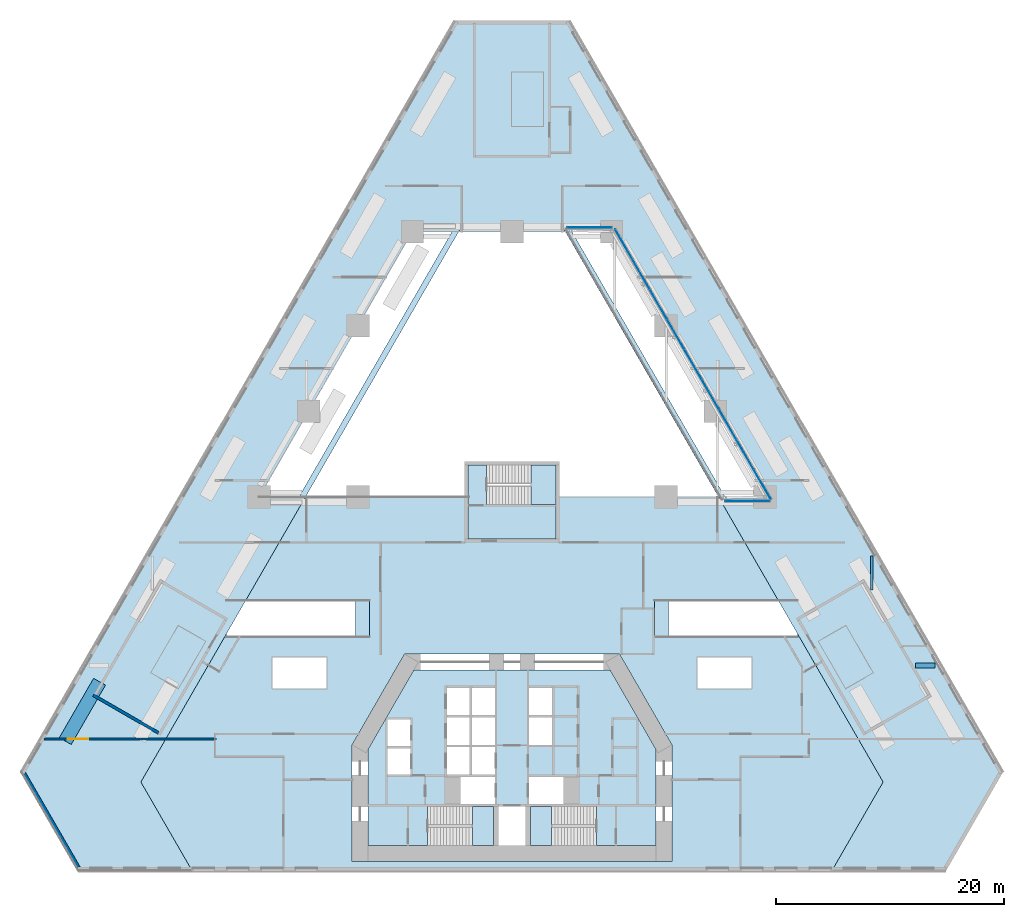
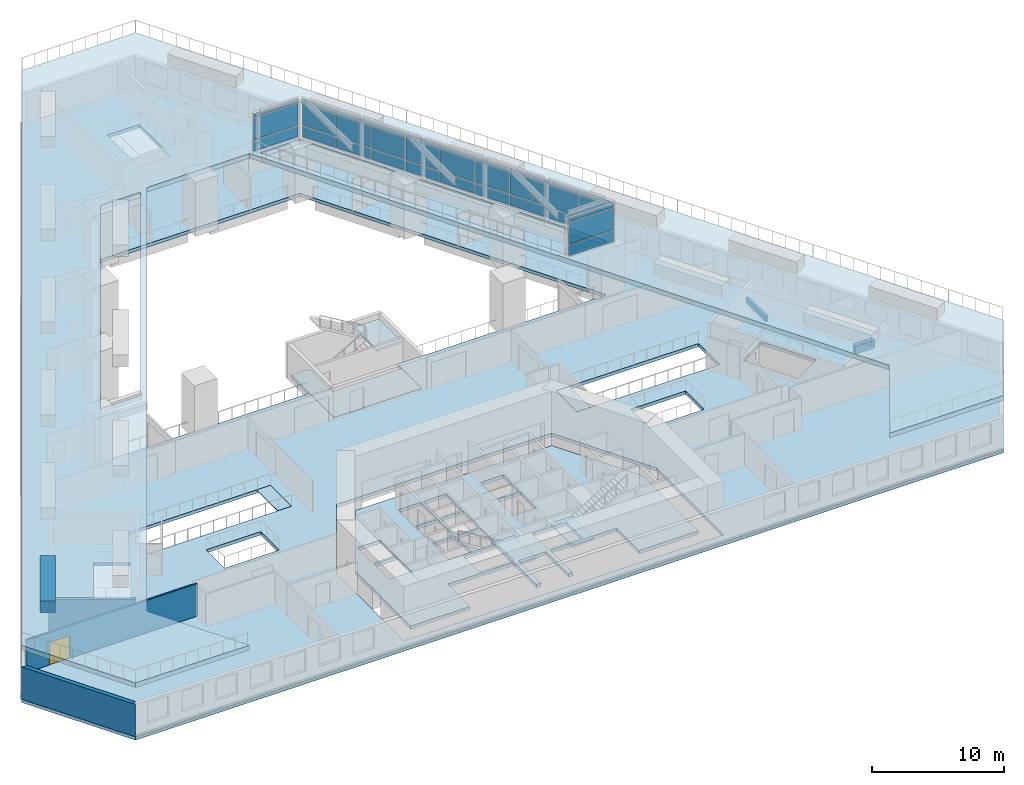
# One storey, part 6 of 19: 35 plates, 7 slabs, 4 walls, 2 beams, 1 door, 1 opening, 6 elements without a shape of their own.
"""IFC4 building model written with IfcOpenShell, lengths in metres."""

from ifc_helpers import new_model, si_unit, direction, frame, frame_2d, origin, origin_2d, place, context, subcontext, project, spatial, polyline, rectangle, outline, extrude, material, layer, layer_set, material_profile, profile_set, type_object, element, fill, aggregate, save


model = new_model("IFC4")

# Units and contexts
model_context = context("Model", 3, precision=1e-05, world=origin(), true_north=direction((0.0, 1.0)))
body_context = subcontext(model_context, "Body", "Model", "MODEL_VIEW")
ifc_project = project(units=[si_unit("LENGTHUNIT", "METRE"), si_unit("AREAUNIT", "SQUARE_METRE"), si_unit("VOLUMEUNIT", "CUBIC_METRE"), si_unit("PLANEANGLEUNIT", "RADIAN"), si_unit("MASSUNIT", "GRAM", prefix="KILO")], contexts=[model_context])

# Site, building, storey
site_placement = place(None, origin())
site = spatial("IfcSite", under=ifc_project, at=site_placement, CompositionType="ELEMENT")
building_placement = place(site_placement, origin())
building = spatial("IfcBuilding", under=site, at=building_placement, Name="Fogline Exchange Tower", CompositionType="ELEMENT")
storey_placement = place(building_placement, frame((0.0, 0.0, 20.0)))
storey = spatial("IfcBuildingStorey", under=building, at=storey_placement, Name="L03", CompositionType="ELEMENT", Elevation=20.0)

# Beams
ifc_material_1 = material(Name="Concrete C40", Category="concrete")
ifc_material_profile_1 = material_profile(ifc_material_1, rectangle(XDim=0.39990234375, YDim=0.75, at=origin_2d()), Name="RC 400x750")
ifc_profile_set_1 = profile_set([ifc_material_profile_1], Name="Concrete C40")
beam_type_1 = type_object("IfcBeamType", Name="B05", PredefinedType="BEAM", material=ifc_profile_set_1)
beam_1_placement = place(storey_placement, frame((35.327392578125, 18.0, -0.675048828125), z_axis=(1.0, 0.0, 0.0), x_axis=(0.0, 1.0, 0.0)))
element("IfcBeam", 1, at=beam_1_placement, inside=storey, type_object=beam_type_1, Name="GB004", PredefinedType="BEAM", context=body_context, shape_type="SweptSolid", body=[
    extrude(rectangle(XDim=0.39990234375, YDim=0.75, at=origin_2d()), origin(), (0.0, 0.0, 1.0), 1.702880859375),
])
ifc_material_profile_2 = material_profile(ifc_material_1, rectangle(XDim=0.25, YDim=0.5, at=origin_2d()), Name="RC 250x500")
ifc_profile_set_2 = profile_set([ifc_material_profile_2], Name="Concrete C40")
beam_type_2 = type_object("IfcBeamType", Name="B08", PredefinedType="BEAM", material=ifc_profile_set_2)
beam_2_placement = place(storey_placement, frame((31.5, 24.619384765625, -0.550048828125), z_axis=(0.0, 1.0, 0.0), x_axis=(-1.0, 0.0, 0.0)))
element("IfcBeam", 2, at=beam_2_placement, inside=storey, type_object=beam_type_2, Name="SB037", PredefinedType="BEAM", context=body_context, shape_type="SweptSolid", body=[
    extrude(rectangle(XDim=0.25, YDim=0.5, at=origin_2d()), origin(), (0.0, 0.0, 1.0), 2.95947265625),
])

# Curtain wall, plates
ifc_material_2 = material(Name="Aluminium and glass", Category="aluminium")
curtain_wall_type = type_object("IfcCurtainWallType", Name="CW2", PredefinedType="NOTDEFINED", material=ifc_material_2)
curtain_wall_1_placement = place(storey_placement, origin())
curtain_wall_1 = element("IfcCurtainWall", 3, at=curtain_wall_1_placement, inside=storey, type_object=curtain_wall_type, Name="CW2 lantern run 1", PredefinedType="NOTDEFINED")
ifc_material_3 = material(Name="Glass", Category="glass")
ifc_layer_1 = layer(ifc_material_3, 0.031982421875)
ifc_layer_set_1 = layer_set([ifc_layer_1], Name="CW2-P")
plate_type_1 = type_object("IfcPlateType", Name="CW2-P", PredefinedType="CURTAIN_PANEL", material=ifc_layer_set_1)
plate_1_placement = place(storey_placement, frame((6.790771484375, 56.35009765625, 5.06982421875), z_axis=(0.0, 0.0, 1.0), x_axis=(-1.0, 0.0, 0.0)))
plate_1 = element("IfcPlate", 4, at=plate_1_placement, type_object=plate_type_1, Name="CW2-P03-01 panel 1.1", PredefinedType="CURTAIN_PANEL", context=body_context, shape_type="SweptSolid", body=[
    extrude(rectangle(XDim=3.90283203125, YDim=0.031982421875, at=origin_2d()), origin(), (0.0, 0.0, 1.0), 0.9951171875),
])
plate_2_placement = place(storey_placement, frame((6.790771484375, 56.35009765625, 6.134765625), z_axis=(0.0, 0.0, 1.0), x_axis=(-1.0, 0.0, 0.0)))
plate_2 = element("IfcPlate", 5, at=plate_2_placement, type_object=plate_type_1, Name="CW2-P03-01 panel 1.2", PredefinedType="CURTAIN_PANEL", context=body_context, shape_type="SweptSolid", body=[
    extrude(rectangle(XDim=3.90283203125, YDim=0.031982421875, at=origin_2d()), origin(), (0.0, 0.0, 1.0), 2.030029296875),
])
plate_3_placement = place(storey_placement, frame((6.790771484375, 56.35009765625, 8.235107421875), z_axis=(0.0, 0.0, 1.0), x_axis=(-1.0, 0.0, 0.0)))
plate_3 = element("IfcPlate", 6, at=plate_3_placement, type_object=plate_type_1, Name="CW2-P03-01 panel 1.3", PredefinedType="CURTAIN_PANEL", context=body_context, shape_type="SweptSolid", body=[
    extrude(rectangle(XDim=3.90283203125, YDim=0.031982421875, at=origin_2d()), origin(), (0.0, 0.0, 1.0), 0.294921875),
])
aggregate(curtain_wall_1, [plate_1, plate_2, plate_3])

curtain_wall_2_placement = place(storey_placement, origin())
curtain_wall_2 = element("IfcCurtainWall", 7, at=curtain_wall_2_placement, inside=storey, type_object=curtain_wall_type, Name="CW2 lantern run 2", PredefinedType="NOTDEFINED")
plate_4_placement = place(storey_placement, frame((20.612548828125, 32.409912109375, 5.06982421875), z_axis=(0.0, 0.0, 1.0), x_axis=(1.0, 0.0, 0.0)))
plate_4 = element("IfcPlate", 8, at=plate_4_placement, type_object=plate_type_1, Name="CW2-P03-02 panel 1.1", PredefinedType="CURTAIN_PANEL", context=body_context, shape_type="SweptSolid", body=[
    extrude(rectangle(XDim=3.90283203125, YDim=0.031982421875, at=origin_2d()), origin(), (0.0, 0.0, 1.0), 0.9951171875),
])
plate_5_placement = place(storey_placement, frame((20.612548828125, 32.409912109375, 6.134765625), z_axis=(0.0, 0.0, 1.0), x_axis=(1.0, 0.0, 0.0)))
plate_5 = element("IfcPlate", 9, at=plate_5_placement, type_object=plate_type_1, Name="CW2-P03-02 panel 1.2", PredefinedType="CURTAIN_PANEL", context=body_context, shape_type="SweptSolid", body=[
    extrude(rectangle(XDim=3.90283203125, YDim=0.031982421875, at=origin_2d()), origin(), (0.0, 0.0, 1.0), 2.030029296875),
])
plate_6_placement = place(storey_placement, frame((20.612548828125, 32.409912109375, 8.235107421875), z_axis=(0.0, 0.0, 1.0), x_axis=(1.0, 0.0, 0.0)))
plate_6 = element("IfcPlate", 10, at=plate_6_placement, type_object=plate_type_1, Name="CW2-P03-02 panel 1.3", PredefinedType="CURTAIN_PANEL", context=body_context, shape_type="SweptSolid", body=[
    extrude(rectangle(XDim=3.90283203125, YDim=0.031982421875, at=origin_2d()), origin(), (0.0, 0.0, 1.0), 0.294921875),
])
aggregate(curtain_wall_2, [plate_4, plate_5, plate_6])

curtain_wall_3_placement = place(storey_placement, origin())
curtain_wall_3 = element("IfcCurtainWall", 11, at=curtain_wall_3_placement, inside=storey, type_object=curtain_wall_type, Name="CW2 lantern run 3", PredefinedType="NOTDEFINED")
plate_7_placement = place(storey_placement, frame((21.92333984375, 33.8662109375, 5.06982421875), z_axis=(0.0, 0.0, 1.0), x_axis=(-0.500000004262, 0.866025401324, 0.0)))
plate_7 = element("IfcPlate", 12, at=plate_7_placement, type_object=plate_type_1, Name="CW2-P03-03 panel 1.1", PredefinedType="CURTAIN_PANEL", context=body_context, shape_type="SweptSolid", body=[
    extrude(rectangle(XDim=2.963134765625, YDim=0.031982421875, at=origin_2d()), origin(), (0.0, 0.0, 1.0), 0.9951171875),
])
plate_8_placement = place(storey_placement, frame((21.92333984375, 33.8662109375, 6.134765625), z_axis=(0.0, 0.0, 1.0), x_axis=(-0.500000004262, 0.866025401324, 0.0)))
plate_8 = element("IfcPlate", 13, at=plate_8_placement, type_object=plate_type_1, Name="CW2-P03-03 panel 1.2", PredefinedType="CURTAIN_PANEL", context=body_context, shape_type="SweptSolid", body=[
    extrude(rectangle(XDim=2.963134765625, YDim=0.031982421875, at=origin_2d()), origin(), (0.0, 0.0, 1.0), 2.030029296875),
])
plate_9_placement = place(storey_placement, frame((21.92333984375, 33.8662109375, 8.235107421875), z_axis=(0.0, 0.0, 1.0), x_axis=(-0.500000004262, 0.866025401324, 0.0)))
plate_9 = element("IfcPlate", 14, at=plate_9_placement, type_object=plate_type_1, Name="CW2-P03-03 panel 1.3", PredefinedType="CURTAIN_PANEL", context=body_context, shape_type="SweptSolid", body=[
    extrude(rectangle(XDim=2.963134765625, YDim=0.031982421875, at=origin_2d()), origin(), (0.0, 0.0, 1.0), 0.294921875),
])
plate_10_placement = place(storey_placement, frame((20.410400390625, 36.486572265625, 5.06982421875), z_axis=(0.0, 0.0, 1.0), x_axis=(-0.500000004262, 0.866025401324, 0.0)))
plate_10 = element("IfcPlate", 15, at=plate_10_placement, type_object=plate_type_1, Name="CW2-P03-03 panel 2.1", PredefinedType="CURTAIN_PANEL", context=body_context, shape_type="SweptSolid", body=[
    extrude(rectangle(XDim=2.98828125, YDim=0.031982421875, at=origin_2d()), origin(), (0.0, 0.0, 1.0), 0.9951171875),
])
plate_11_placement = place(storey_placement, frame((20.410400390625, 36.486572265625, 6.134765625), z_axis=(0.0, 0.0, 1.0), x_axis=(-0.500000004262, 0.866025401324, 0.0)))
plate_11 = element("IfcPlate", 16, at=plate_11_placement, type_object=plate_type_1, Name="CW2-P03-03 panel 2.2", PredefinedType="CURTAIN_PANEL", context=body_context, shape_type="SweptSolid", body=[
    extrude(rectangle(XDim=2.98828125, YDim=0.031982421875, at=origin_2d()), origin(), (0.0, 0.0, 1.0), 2.030029296875),
])
plate_12_placement = place(storey_placement, frame((20.410400390625, 36.486572265625, 8.235107421875), z_axis=(0.0, 0.0, 1.0), x_axis=(-0.500000004262, 0.866025401324, 0.0)))
plate_12 = element("IfcPlate", 17, at=plate_12_placement, type_object=plate_type_1, Name="CW2-P03-03 panel 2.3", PredefinedType="CURTAIN_PANEL", context=body_context, shape_type="SweptSolid", body=[
    extrude(rectangle(XDim=2.98828125, YDim=0.031982421875, at=origin_2d()), origin(), (0.0, 0.0, 1.0), 0.294921875),
])
plate_13_placement = place(storey_placement, frame((18.891357421875, 39.11767578125, 5.06982421875), z_axis=(0.0, 0.0, 1.0), x_axis=(-0.500000004262, 0.866025401324, 0.0)))
plate_13 = element("IfcPlate", 18, at=plate_13_placement, type_object=plate_type_1, Name="CW2-P03-03 panel 3.1", PredefinedType="CURTAIN_PANEL", context=body_context, shape_type="SweptSolid", body=[
    extrude(rectangle(XDim=2.98828125, YDim=0.031982421875, at=origin_2d()), origin(), (0.0, 0.0, 1.0), 0.9951171875),
])
plate_14_placement = place(storey_placement, frame((18.891357421875, 39.11767578125, 6.134765625), z_axis=(0.0, 0.0, 1.0), x_axis=(-0.500000004262, 0.866025401324, 0.0)))
plate_14 = element("IfcPlate", 19, at=plate_14_placement, type_object=plate_type_1, Name="CW2-P03-03 panel 3.2", PredefinedType="CURTAIN_PANEL", context=body_context, shape_type="SweptSolid", body=[
    extrude(rectangle(XDim=2.98828125, YDim=0.031982421875, at=origin_2d()), origin(), (0.0, 0.0, 1.0), 2.030029296875),
])
plate_15_placement = place(storey_placement, frame((18.891357421875, 39.11767578125, 8.235107421875), z_axis=(0.0, 0.0, 1.0), x_axis=(-0.500000004262, 0.866025401324, 0.0)))
plate_15 = element("IfcPlate", 20, at=plate_15_placement, type_object=plate_type_1, Name="CW2-P03-03 panel 3.3", PredefinedType="CURTAIN_PANEL", context=body_context, shape_type="SweptSolid", body=[
    extrude(rectangle(XDim=2.98828125, YDim=0.031982421875, at=origin_2d()), origin(), (0.0, 0.0, 1.0), 0.294921875),
])
plate_16_placement = place(storey_placement, frame((17.372314453125, 41.748779296875, 5.06982421875), z_axis=(0.0, 0.0, 1.0), x_axis=(-0.500000004262, 0.866025401324, 0.0)))
plate_16 = element("IfcPlate", 21, at=plate_16_placement, type_object=plate_type_1, Name="CW2-P03-03 panel 4.1", PredefinedType="CURTAIN_PANEL", context=body_context, shape_type="SweptSolid", body=[
    extrude(rectangle(XDim=2.98828125, YDim=0.031982421875, at=origin_2d()), origin(), (0.0, 0.0, 1.0), 0.9951171875),
])
plate_17_placement = place(storey_placement, frame((17.372314453125, 41.748779296875, 6.134765625), z_axis=(0.0, 0.0, 1.0), x_axis=(-0.500000004262, 0.866025401324, 0.0)))
plate_17 = element("IfcPlate", 22, at=plate_17_placement, type_object=plate_type_1, Name="CW2-P03-03 panel 4.2", PredefinedType="CURTAIN_PANEL", context=body_context, shape_type="SweptSolid", body=[
    extrude(rectangle(XDim=2.98828125, YDim=0.031982421875, at=origin_2d()), origin(), (0.0, 0.0, 1.0), 2.030029296875),
])
plate_18_placement = place(storey_placement, frame((17.372314453125, 41.748779296875, 8.235107421875), z_axis=(0.0, 0.0, 1.0), x_axis=(-0.500000004262, 0.866025401324, 0.0)))
plate_18 = element("IfcPlate", 23, at=plate_18_placement, type_object=plate_type_1, Name="CW2-P03-03 panel 4.3", PredefinedType="CURTAIN_PANEL", context=body_context, shape_type="SweptSolid", body=[
    extrude(rectangle(XDim=2.98828125, YDim=0.031982421875, at=origin_2d()), origin(), (0.0, 0.0, 1.0), 0.294921875),
])
plate_19_placement = place(storey_placement, frame((15.85302734375, 44.3798828125, 5.06982421875), z_axis=(0.0, 0.0, 1.0), x_axis=(-0.500000004262, 0.866025401324, 0.0)))
plate_19 = element("IfcPlate", 24, at=plate_19_placement, type_object=plate_type_1, Name="CW2-P03-03 panel 5.1", PredefinedType="CURTAIN_PANEL", context=body_context, shape_type="SweptSolid", body=[
    extrude(rectangle(XDim=2.98828125, YDim=0.031982421875, at=origin_2d()), origin(), (0.0, 0.0, 1.0), 0.9951171875),
])
plate_20_placement = place(storey_placement, frame((15.85302734375, 44.3798828125, 6.134765625), z_axis=(0.0, 0.0, 1.0), x_axis=(-0.500000004262, 0.866025401324, 0.0)))
plate_20 = element("IfcPlate", 25, at=plate_20_placement, type_object=plate_type_1, Name="CW2-P03-03 panel 5.2", PredefinedType="CURTAIN_PANEL", context=body_context, shape_type="SweptSolid", body=[
    extrude(rectangle(XDim=2.98828125, YDim=0.031982421875, at=origin_2d()), origin(), (0.0, 0.0, 1.0), 2.030029296875),
])
plate_21_placement = place(storey_placement, frame((15.85302734375, 44.3798828125, 8.235107421875), z_axis=(0.0, 0.0, 1.0), x_axis=(-0.500000004262, 0.866025401324, 0.0)))
plate_21 = element("IfcPlate", 26, at=plate_21_placement, type_object=plate_type_1, Name="CW2-P03-03 panel 5.3", PredefinedType="CURTAIN_PANEL", context=body_context, shape_type="SweptSolid", body=[
    extrude(rectangle(XDim=2.98828125, YDim=0.031982421875, at=origin_2d()), origin(), (0.0, 0.0, 1.0), 0.294921875),
])
plate_22_placement = place(storey_placement, frame((14.333984375, 47.01123046875, 5.06982421875), z_axis=(0.0, 0.0, 1.0), x_axis=(-0.500000004262, 0.866025401324, 0.0)))
plate_22 = element("IfcPlate", 27, at=plate_22_placement, type_object=plate_type_1, Name="CW2-P03-03 panel 6.1", PredefinedType="CURTAIN_PANEL", context=body_context, shape_type="SweptSolid", body=[
    extrude(rectangle(XDim=2.98828125, YDim=0.031982421875, at=origin_2d()), origin(), (0.0, 0.0, 1.0), 0.9951171875),
])
plate_23_placement = place(storey_placement, frame((14.333984375, 47.01123046875, 6.134765625), z_axis=(0.0, 0.0, 1.0), x_axis=(-0.500000004262, 0.866025401324, 0.0)))
plate_23 = element("IfcPlate", 28, at=plate_23_placement, type_object=plate_type_1, Name="CW2-P03-03 panel 6.2", PredefinedType="CURTAIN_PANEL", context=body_context, shape_type="SweptSolid", body=[
    extrude(rectangle(XDim=2.98828125, YDim=0.031982421875, at=origin_2d()), origin(), (0.0, 0.0, 1.0), 2.030029296875),
])
plate_24_placement = place(storey_placement, frame((14.333984375, 47.01123046875, 8.235107421875), z_axis=(0.0, 0.0, 1.0), x_axis=(-0.500000004262, 0.866025401324, 0.0)))
plate_24 = element("IfcPlate", 29, at=plate_24_placement, type_object=plate_type_1, Name="CW2-P03-03 panel 6.3", PredefinedType="CURTAIN_PANEL", context=body_context, shape_type="SweptSolid", body=[
    extrude(rectangle(XDim=2.98828125, YDim=0.031982421875, at=origin_2d()), origin(), (0.0, 0.0, 1.0), 0.294921875),
])
plate_25_placement = place(storey_placement, frame((12.81494140625, 49.642333984375, 5.06982421875), z_axis=(0.0, 0.0, 1.0), x_axis=(-0.500000004262, 0.866025401324, 0.0)))
plate_25 = element("IfcPlate", 30, at=plate_25_placement, type_object=plate_type_1, Name="CW2-P03-03 panel 7.1", PredefinedType="CURTAIN_PANEL", context=body_context, shape_type="SweptSolid", body=[
    extrude(rectangle(XDim=2.98828125, YDim=0.031982421875, at=origin_2d()), origin(), (0.0, 0.0, 1.0), 0.9951171875),
])
plate_26_placement = place(storey_placement, frame((12.81494140625, 49.642333984375, 6.134765625), z_axis=(0.0, 0.0, 1.0), x_axis=(-0.500000004262, 0.866025401324, 0.0)))
plate_26 = element("IfcPlate", 31, at=plate_26_placement, type_object=plate_type_1, Name="CW2-P03-03 panel 7.2", PredefinedType="CURTAIN_PANEL", context=body_context, shape_type="SweptSolid", body=[
    extrude(rectangle(XDim=2.98828125, YDim=0.031982421875, at=origin_2d()), origin(), (0.0, 0.0, 1.0), 2.030029296875),
])
plate_27_placement = place(storey_placement, frame((12.81494140625, 49.642333984375, 8.235107421875), z_axis=(0.0, 0.0, 1.0), x_axis=(-0.500000004262, 0.866025401324, 0.0)))
plate_27 = element("IfcPlate", 32, at=plate_27_placement, type_object=plate_type_1, Name="CW2-P03-03 panel 7.3", PredefinedType="CURTAIN_PANEL", context=body_context, shape_type="SweptSolid", body=[
    extrude(rectangle(XDim=2.98828125, YDim=0.031982421875, at=origin_2d()), origin(), (0.0, 0.0, 1.0), 0.294921875),
])
plate_28_placement = place(storey_placement, frame((11.2958984375, 52.2734375, 5.06982421875), z_axis=(0.0, 0.0, 1.0), x_axis=(-0.500000004262, 0.866025401324, 0.0)))
plate_28 = element("IfcPlate", 33, at=plate_28_placement, type_object=plate_type_1, Name="CW2-P03-03 panel 8.1", PredefinedType="CURTAIN_PANEL", context=body_context, shape_type="SweptSolid", body=[
    extrude(rectangle(XDim=2.98828125, YDim=0.031982421875, at=origin_2d()), origin(), (0.0, 0.0, 1.0), 0.9951171875),
])
plate_29_placement = place(storey_placement, frame((11.2958984375, 52.2734375, 6.134765625), z_axis=(0.0, 0.0, 1.0), x_axis=(-0.500000004262, 0.866025401324, 0.0)))
plate_29 = element("IfcPlate", 34, at=plate_29_placement, type_object=plate_type_1, Name="CW2-P03-03 panel 8.2", PredefinedType="CURTAIN_PANEL", context=body_context, shape_type="SweptSolid", body=[
    extrude(rectangle(XDim=2.98828125, YDim=0.031982421875, at=origin_2d()), origin(), (0.0, 0.0, 1.0), 2.030029296875),
])
plate_30_placement = place(storey_placement, frame((11.2958984375, 52.2734375, 8.235107421875), z_axis=(0.0, 0.0, 1.0), x_axis=(-0.500000004262, 0.866025401324, 0.0)))
plate_30 = element("IfcPlate", 35, at=plate_30_placement, type_object=plate_type_1, Name="CW2-P03-03 panel 8.3", PredefinedType="CURTAIN_PANEL", context=body_context, shape_type="SweptSolid", body=[
    extrude(rectangle(XDim=2.98828125, YDim=0.031982421875, at=origin_2d()), origin(), (0.0, 0.0, 1.0), 0.294921875),
])
plate_31_placement = place(storey_placement, frame((9.782958984375, 54.893798828125, 5.06982421875), z_axis=(0.0, 0.0, 1.0), x_axis=(-0.500000004262, 0.866025401324, 0.0)))
plate_31 = element("IfcPlate", 36, at=plate_31_placement, type_object=plate_type_1, Name="CW2-P03-03 panel 9.1", PredefinedType="CURTAIN_PANEL", context=body_context, shape_type="SweptSolid", body=[
    extrude(rectangle(XDim=2.963134765625, YDim=0.031982421875, at=origin_2d()), origin(), (0.0, 0.0, 1.0), 0.9951171875),
])
plate_32_placement = place(storey_placement, frame((9.782958984375, 54.893798828125, 6.134765625), z_axis=(0.0, 0.0, 1.0), x_axis=(-0.500000004262, 0.866025401324, 0.0)))
plate_32 = element("IfcPlate", 37, at=plate_32_placement, type_object=plate_type_1, Name="CW2-P03-03 panel 9.2", PredefinedType="CURTAIN_PANEL", context=body_context, shape_type="SweptSolid", body=[
    extrude(rectangle(XDim=2.963134765625, YDim=0.031982421875, at=origin_2d()), origin(), (0.0, 0.0, 1.0), 2.030029296875),
])
plate_33_placement = place(storey_placement, frame((9.782958984375, 54.893798828125, 8.235107421875), z_axis=(0.0, 0.0, 1.0), x_axis=(-0.500000004262, 0.866025401324, 0.0)))
plate_33 = element("IfcPlate", 38, at=plate_33_placement, type_object=plate_type_1, Name="CW2-P03-03 panel 9.3", PredefinedType="CURTAIN_PANEL", context=body_context, shape_type="SweptSolid", body=[
    extrude(rectangle(XDim=2.963134765625, YDim=0.031982421875, at=origin_2d()), origin(), (0.0, 0.0, 1.0), 0.294921875),
])
aggregate(curtain_wall_3, [plate_7, plate_8, plate_9, plate_10, plate_11, plate_12, plate_13, plate_14, plate_15, plate_16, plate_17, plate_18, plate_19, plate_20, plate_21, plate_22, plate_23, plate_24, plate_25, plate_26, plate_27, plate_28, plate_29, plate_30, plate_31, plate_32, plate_33])

# Plates
ifc_material_4 = material(Name="Aluminium", Category="aluminium")
ifc_layer_2 = layer(ifc_material_4, 0.050048828125)
ifc_layer_set_2 = layer_set([ifc_layer_2], Name="EP1")
plate_type_2 = type_object("IfcPlateType", Name="EP1", PredefinedType="SHEET", material=ifc_layer_set_2)
plate_34_placement = place(storey_placement, frame((0.0, 0.0, -0.050048828125)))
element("IfcPlate", 39, at=plate_34_placement, inside=storey, type_object=plate_type_2, Name="Escalator landing plate", PredefinedType="SHEET", context=body_context, shape_type="SweptSolid", body=[
    extrude(outline(polyline([(-13.699951171875, 20.5), (-12.5, 20.5), (-12.5, 23.699951171875), (-13.699951171875, 23.699951171875), (-13.699951171875, 20.5)])), origin(), (0.0, 0.0, 1.0), 0.050048828125),
])
plate_35_placement = place(storey_placement, frame((0.0, 0.0, -0.050048828125)))
element("IfcPlate", 40, at=plate_35_placement, inside=storey, type_object=plate_type_2, Name="Escalator landing plate", PredefinedType="SHEET", context=body_context, shape_type="SweptSolid", body=[
    extrude(outline(polyline([(12.5, 20.5), (13.699951171875, 20.5), (13.699951171875, 23.699951171875), (12.5, 23.699951171875), (12.5, 20.5)])), origin(), (0.0, 0.0, 1.0), 0.050048828125),
])

# Slabs
ifc_layer_3 = layer(ifc_material_1, 0.300048828125)
ifc_layer_set_3 = layer_set([ifc_layer_3], Name="S04")
slab_type_1 = type_object("IfcSlabType", Name="S04", PredefinedType="FLOOR", material=ifc_layer_set_3)
slab_1_placement = place(storey_placement, frame((0.0, 0.0, -0.300048828125)))
element("IfcSlab", 41, at=slab_1_placement, inside=storey, type_object=slab_type_1, Name="SLAB L03", PredefinedType="FLOOR", context=body_context, shape_type="SweptSolid", body=[
    extrude(outline(polyline([(38.0, 0.0), (43.0, 8.660400390625), (5.0, 74.478271484375), (-5.0, 74.478271484375), (-43.0, 8.660400390625), (-38.0, 0.0), (38.0, 0.0)]), holes=[polyline([(-9.41162109375, 19.0), (9.41162109375, 19.0), (14.0, 11.052490234375), (14.0, 0.85009765625), (-14.0, 0.85009765625), (-14.0, 11.052490234375), (-9.41162109375, 19.0)]), polyline([(8.740234375, 56.0), (22.15771484375, 32.760009765625), (3.85009765625, 32.760009765625), (3.85009765625, 29.056884765625), (-3.85009765625, 29.056884765625), (-3.85009765625, 32.760009765625), (-22.15771484375, 32.760009765625), (-8.740234375, 56.0), (8.740234375, 56.0)]), polyline([(-16.199951171875, 18.75), (-16.199951171875, 15.949951171875), (-20.998046875, 15.949951171875), (-20.998046875, 18.75), (-16.199951171875, 18.75)]), polyline([(16.199951171875, 18.75), (20.998046875, 18.75), (20.998046875, 15.949951171875), (16.199951171875, 15.949951171875), (16.199951171875, 18.75)]), polyline([(-26.814453125, 20.115478515625), (-29.21337890625, 15.960205078125), (-31.63818359375, 17.360107421875), (-29.2392578125, 21.515380859375), (-26.814453125, 20.115478515625)]), polyline([(29.21337890625, 15.960205078125), (26.814453125, 20.115478515625), (29.2392578125, 21.515380859375), (31.63818359375, 17.360107421875), (29.21337890625, 15.960205078125)]), polyline([(-25.0, 20.5), (-25.0, 23.699951171875), (-12.5, 23.699951171875), (-12.5, 20.5), (-25.0, 20.5)]), polyline([(12.5, 20.5), (12.5, 23.699951171875), (25.0, 23.699951171875), (25.0, 20.5), (12.5, 20.5)]), polyline([(2.75, 69.985107421875), (2.75, 65.18701171875), (-0.050048828125, 65.18701171875), (-0.050048828125, 69.985107421875), (2.75, 69.985107421875)])]), origin(), (0.0, 0.0, 1.0), 0.300048828125),
])
slab_2_placement = place(storey_placement, frame((0.0, 0.0, -0.300048828125)))
element("IfcSlab", 42, at=slab_2_placement, inside=storey, type_object=slab_type_1, Name="Core floor slab", PredefinedType="FLOOR", context=body_context, shape_type="SweptSolid", body=[
    extrude(outline(polyline([(-12.60009765625, 2.25), (-12.60009765625, 10.677490234375), (-8.603271484375, 17.60009765625), (8.603271484375, 17.60009765625), (12.60009765625, 10.677490234375), (12.60009765625, 2.25), (7.389892578125, 2.25), (7.389892578125, 5.64990234375), (1.60009765625, 5.64990234375), (1.60009765625, 2.25), (1.199951171875, 2.25), (1.199951171875, 5.64990234375), (-1.199951171875, 5.64990234375), (-1.199951171875, 2.25), (-1.60009765625, 2.25), (-1.60009765625, 5.64990234375), (-7.389892578125, 5.64990234375), (-7.389892578125, 2.25), (-12.60009765625, 2.25)]), holes=[polyline([(-1.5, 8.25), (-4.5, 8.25), (-4.5, 5.85009765625), (-1.5, 5.85009765625), (-1.5, 8.25)]), polyline([(-8.89990234375, 10.75), (-10.89990234375, 10.75), (-10.89990234375, 8.449951171875), (-8.89990234375, 8.449951171875), (-8.89990234375, 10.75)]), polyline([(-3.699951171875, 10.85009765625), (-5.699951171875, 10.85009765625), (-5.699951171875, 8.449951171875), (-3.699951171875, 8.449951171875), (-3.699951171875, 10.85009765625)]), polyline([(-1.5, 10.85009765625), (-3.5, 10.85009765625), (-3.5, 8.449951171875), (-1.5, 8.449951171875), (-1.5, 10.85009765625)]), polyline([(-8.89990234375, 13.25), (-10.89990234375, 13.25), (-10.89990234375, 10.949951171875), (-8.89990234375, 10.949951171875), (-8.89990234375, 13.25)]), polyline([(-3.699951171875, 13.449951171875), (-5.699951171875, 13.449951171875), (-5.699951171875, 11.050048828125), (-3.699951171875, 11.050048828125), (-3.699951171875, 13.449951171875)]), polyline([(-3.699951171875, 16.050048828125), (-5.699951171875, 16.050048828125), (-5.699951171875, 13.64990234375), (-3.699951171875, 13.64990234375), (-3.699951171875, 16.050048828125)]), polyline([(4.5, 8.25), (1.5, 8.25), (1.5, 5.85009765625), (4.5, 5.85009765625), (4.5, 8.25)]), polyline([(-1.5, 13.449951171875), (-3.5, 13.449951171875), (-3.5, 11.050048828125), (-1.5, 11.050048828125), (-1.5, 13.449951171875)]), polyline([(3.5, 13.449951171875), (1.5, 13.449951171875), (1.5, 11.050048828125), (3.5, 11.050048828125), (3.5, 13.449951171875)]), polyline([(-1.5, 16.050048828125), (-3.5, 16.050048828125), (-3.5, 13.64990234375), (-1.5, 13.64990234375), (-1.5, 16.050048828125)]), polyline([(3.5, 16.050048828125), (1.5, 16.050048828125), (1.5, 13.64990234375), (3.5, 13.64990234375), (3.5, 16.050048828125)])]), origin(), (0.0, 0.0, 1.0), 0.300048828125),
])
slab_3_placement = place(storey_placement, frame((0.0, 0.0, -0.300048828125)))
element("IfcSlab", 43, at=slab_3_placement, inside=storey, type_object=slab_type_1, Name="Stair enclosure floor slab", PredefinedType="FLOOR", context=body_context, shape_type="SweptSolid", body=[
    extrude(outline(polyline([(3.85009765625, 29.056884765625), (-3.85009765625, 29.056884765625), (-3.85009765625, 35.556884765625), (-2.239990234375, 35.556884765625), (-2.239990234375, 32.10693359375), (3.85009765625, 32.10693359375), (3.85009765625, 29.056884765625)])), origin(), (0.0, 0.0, 1.0), 0.300048828125),
])
ifc_layer_4 = layer(ifc_material_1, 0.449951171875)
ifc_layer_set_4 = layer_set([ifc_layer_4], Name="S06")
slab_type_2 = type_object("IfcSlabType", Name="S06", PredefinedType="FLOOR", material=ifc_layer_set_4)
slab_4_placement = place(storey_placement, frame((0.0, 0.0, 4.550048828125)))
element("IfcSlab", 44, at=slab_4_placement, inside=storey, type_object=slab_type_2, Name="SLAB L04 TERRACE", PredefinedType="FLOOR", context=body_context, shape_type="SweptSolid", body=[
    extrude(outline(polyline([(43.0, 8.660400390625), (5.0, 74.478271484375), (-5.0, 74.478271484375), (-43.0, 8.660400390625), (-38.0, 0.0), (-28.0, 0.0), (-29.25, 2.1650390625), (-31.25, 5.629150390625), (-32.5, 7.794189453125), (-4.5, 56.291748046875), (-2.0, 56.291748046875), (2.0, 56.291748046875), (4.5, 56.291748046875), (32.5, 7.794189453125), (31.25, 5.629150390625), (29.25, 2.1650390625), (28.0, 0.0), (38.0, 0.0), (43.0, 8.660400390625)]), holes=[polyline([(-5.24560546875, 56.0), (-18.663330078125, 32.760009765625), (-22.15771484375, 32.760009765625), (-8.740234375, 56.0), (-5.24560546875, 56.0)]), polyline([(8.740234375, 56.0), (22.15771484375, 32.760009765625), (18.663330078125, 32.760009765625), (5.24560546875, 56.0), (8.740234375, 56.0)])]), origin(), (0.0, 0.0, 1.0), 0.449951171875),
])

# Stair, slab
stair_type = type_object("IfcStairType", Name="STR30-1667", PredefinedType="HALF_TURN_STAIR", material=ifc_material_1)
stair_1_placement = place(storey_placement, origin())
stair_1 = element("IfcStair", 45, at=stair_1_placement, inside=storey, type_object=stair_type, Name="Stair ST1", PredefinedType="HALF_TURN_STAIR")
ifc_layer_5 = layer(ifc_material_1, 0.199951171875)
ifc_layer_set_5 = layer_set([ifc_layer_5], Name="SL200")
slab_type_3 = type_object("IfcSlabType", Name="SL200", PredefinedType="LANDING", material=ifc_layer_set_5)
slab_5_placement = place(storey_placement, frame((0.0, 0.0, 2.300048828125)))
slab_5 = element("IfcSlab", 46, at=slab_5_placement, type_object=slab_type_3, Name="ST1 landing 1", PredefinedType="LANDING", context=body_context, shape_type="SweptSolid", body=[
    extrude(outline(polyline([(-3.47998046875, 2.25), (-1.60009765625, 2.25), (-1.60009765625, 5.64990234375), (-3.47998046875, 5.64990234375), (-3.47998046875, 2.25)])), origin(), (0.0, 0.0, 1.0), 0.199951171875),
])
aggregate(stair_1, [slab_5])

stair_2_placement = place(storey_placement, origin())
stair_2 = element("IfcStair", 47, at=stair_2_placement, inside=storey, type_object=stair_type, Name="Stair ST2", PredefinedType="HALF_TURN_STAIR")
slab_6_placement = place(storey_placement, frame((0.0, 0.0, 2.300048828125)))
slab_6 = element("IfcSlab", 48, at=slab_6_placement, type_object=slab_type_3, Name="ST2 landing 1", PredefinedType="LANDING", context=body_context, shape_type="SweptSolid", body=[
    extrude(outline(polyline([(1.60009765625, 2.25), (3.47998046875, 2.25), (3.47998046875, 5.64990234375), (1.60009765625, 5.64990234375), (1.60009765625, 2.25)])), origin(), (0.0, 0.0, 1.0), 0.199951171875),
])
aggregate(stair_2, [slab_6])

stair_3_placement = place(storey_placement, origin())
stair_3 = element("IfcStair", 49, at=stair_3_placement, inside=storey, type_object=stair_type, Name="Stair ST3", PredefinedType="HALF_TURN_STAIR")
slab_7_placement = place(storey_placement, frame((0.0, 0.0, 2.300048828125)))
slab_7 = element("IfcSlab", 50, at=slab_7_placement, type_object=slab_type_3, Name="ST3 landing 1", PredefinedType="LANDING", context=body_context, shape_type="SweptSolid", body=[
    extrude(outline(polyline([(1.669921875, 32.10693359375), (3.85009765625, 32.10693359375), (3.85009765625, 35.556884765625), (1.669921875, 35.556884765625), (1.669921875, 32.10693359375)])), origin(), (0.0, 0.0, 1.0), 0.199951171875),
])
aggregate(stair_3, [slab_7])

# Walls
ifc_material_5 = material(Name="Brick masonry", Category="masonry")
ifc_layer_6 = layer(ifc_material_5, 0.340087890625)
ifc_layer_set_6 = layer_set([ifc_layer_6], Name="FW1")
wall_type_1 = type_object("IfcWallType", Name="FW1", PredefinedType="SOLIDWALL", material=ifc_layer_set_6)
wall_1_placement = place(storey_placement, origin())
element("IfcWall", 51, at=wall_1_placement, inside=storey, type_object=wall_type_1, Name="Brick wall L03 SW-c", PredefinedType="SOLIDWALL", context=body_context, shape_type="SweptSolid", body=[
    extrude(outline(polyline([(-43.000732421875, 8.661376953125), (-42.705810546875, 8.490966796875), (-42.607421875, 8.661376953125), (-37.802734375, 0.33935546875), (-37.99951171875, 0.33935546875), (-37.99951171875, -0.0009765625), (-38.0, -0.001220703125), (-43.0009765625, 8.660888671875), (-43.000732421875, 8.661376953125)])), origin(), (0.0, 0.0, 1.0), 3.0),
])
ifc_material_6 = material(Name="Concrete C30", Category="concrete")
ifc_layer_7 = layer(ifc_material_6, 0.199951171875)
ifc_layer_set_7 = layer_set([ifc_layer_7], Name="PL1")
wall_type_2 = type_object("IfcWallType", Name="PL1", PredefinedType="USERDEFINED", material=ifc_layer_set_7)
wall_2_placement = place(storey_placement, frame((0.0, 0.0, 5.0)))
element("IfcWall", 52, at=wall_2_placement, inside=storey, type_object=wall_type_2, Name="PLANTER podium terrace", ObjectType="PLANTER", PredefinedType="USERDEFINED", context=body_context, shape_type="SweptSolid", body=[
    extrude(outline(polyline([(-39.639892578125, 11.680419921875), (-38.6005859375, 11.080322265625), (-35.6005859375, 16.276611328125), (-36.639892578125, 16.87646484375), (-39.639892578125, 11.680419921875)])), origin(), (0.0, 0.0, 1.0), 1.10009765625),
])

# Wall, opening, door
ifc_material_7 = material(Name="Plasterboard on steel stud", Category="steel")
ifc_layer_8 = layer(ifc_material_7, 0.14990234375)
ifc_layer_set_8 = layer_set([ifc_layer_8], Name="PP1")
wall_type_3 = type_object("IfcWallType", Name="PP1", PredefinedType="PARTITIONING", material=ifc_layer_set_8)
wall_3_placement = place(storey_placement, frame((-40.9677734375, 11.570068359375, 0.0), z_axis=(0.0, 0.0, 1.0), x_axis=(1.0, 0.0, 0.0)))
wall_3 = element("IfcWall", 53, at=wall_3_placement, inside=storey, type_object=wall_type_3, Name="PP1 partition", PredefinedType="PARTITIONING", context=body_context, shape_type="SweptSolid", body=[
    extrude(rectangle(XDim=15.042724609375, YDim=0.14990234375, at=frame_2d((7.521484375, 0.0))), origin(), (0.0, 0.0, 1.0), 3.0),
])
opening_placement = place(wall_3_placement, frame((2.06787109375, 0.0, 0.0)))
opening = element("IfcOpeningElement", 54, at=opening_placement, cuts=wall_3, Name="Opening P03-D012", PredefinedType="OPENING", context=body_context, shape_type="SweptSolid", body=[
    extrude(rectangle(XDim=1.800048828125, YDim=2.10009765625, at=frame_2d((0.89990234375, 1.050048828125))), frame((0.0, 0.0849609375, 0.0), z_axis=(0.0, -1.0, 0.0), x_axis=(1.0, 0.0, 0.0)), (0.0, 0.0, 1.0), 0.169921875),
])
ifc_material_8 = material(Name="Timber", Category="wood")
door_type = type_object("IfcDoorType", Name="PD3", OperationType="DOUBLE_DOOR_SINGLE_SWING", PredefinedType="DOOR", material=ifc_material_8)
door_placement = place(opening_placement, frame((1.800048828125, 0.0, 0.0), z_axis=(0.0, 0.0, 1.0), x_axis=(-1.0, 0.0, 0.0)))
door = element("IfcDoor", 55, at=door_placement, inside=storey, type_object=door_type, Name="P03-D012", OperationType="DOUBLE_DOOR_SINGLE_SWING", OverallHeight=2.10009765625, OverallWidth=1.800048828125, PredefinedType="DOOR", context=body_context, shape_type="SweptSolid", body=[
    extrude(rectangle(XDim=1.800048828125, YDim=2.10009765625, at=frame_2d((0.89990234375, 1.050048828125))), frame((0.0, 0.02490234375, 0.0), z_axis=(0.0, -1.0, 0.0), x_axis=(1.0, 0.0, 0.0)), (0.0, 0.0, 1.0), 0.050048828125),
])
fill(opening, door)

# Wall
ifc_layer_9 = layer(ifc_material_1, 0.25)
ifc_layer_set_9 = layer_set([ifc_layer_9], Name="PP3")
wall_type_4 = type_object("IfcWallType", Name="PP3", PredefinedType="SOLIDWALL", material=ifc_layer_set_9)
wall_4_placement = place(storey_placement, frame((-30.95263671875, 12.097412109375, 0.0), z_axis=(0.0, 0.0, 1.0), x_axis=(-0.866040211805, 0.499974350878, 0.0)))
element("IfcWall", 56, at=wall_4_placement, inside=storey, type_object=wall_type_4, Name="PP3 bearing wall", PredefinedType="SOLIDWALL", context=body_context, shape_type="SweptSolid", body=[
    extrude(rectangle(XDim=6.599853515625, YDim=0.25, at=frame_2d((3.2998046875, 0.0))), origin(), (0.0, 0.0, 1.0), 3.0),
])

save(model, "model.ifc")
